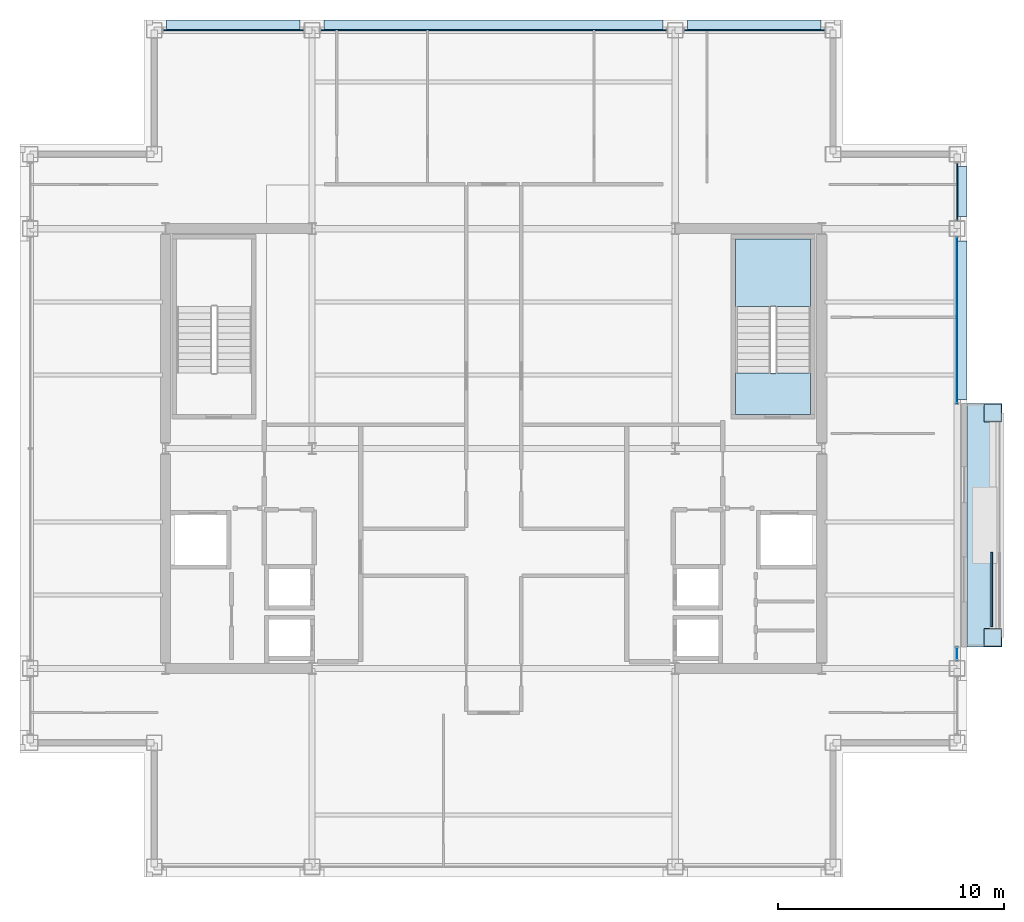
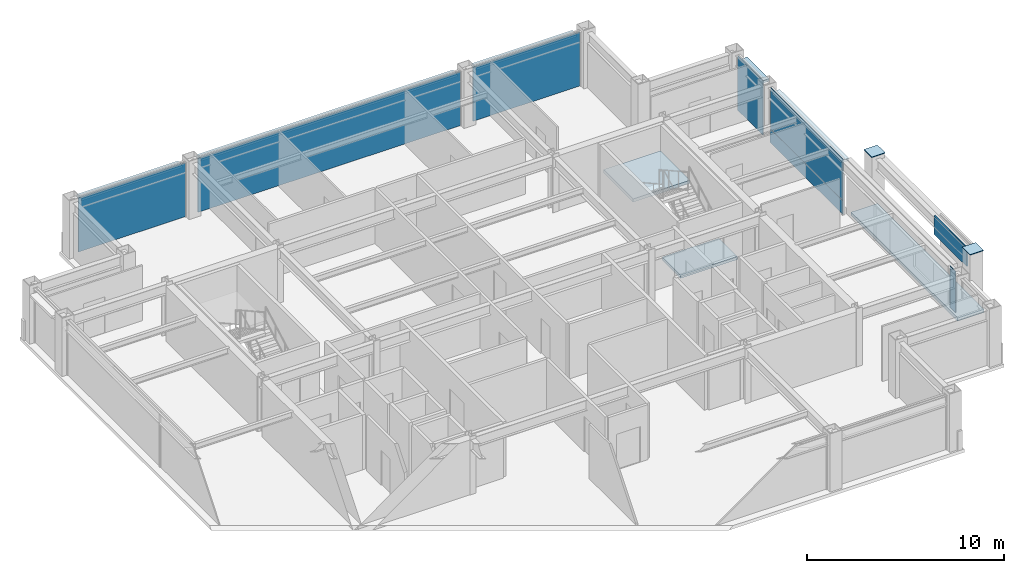
# One storey, part 23 of 29: 15 plates, 3 slabs, 7 elements without a shape of their own.
"""IFC4 building model written with IfcOpenShell, lengths in metres."""

from ifc_helpers import new_model, si_unit, direction, frame, origin, origin_2d, place, context, subcontext, project, spatial, polyline, rectangle, outline, extrude, material, layer, layer_set, type_object, element, aggregate, save


model = new_model("IFC4")

# Units and contexts
model_context = context("Model", 3, precision=1e-05, world=origin(), true_north=direction((0.0, 1.0)))
body_context = subcontext(model_context, "Body", "Model", "MODEL_VIEW")
ifc_project = project(units=[si_unit("LENGTHUNIT", "METRE"), si_unit("AREAUNIT", "SQUARE_METRE"), si_unit("VOLUMEUNIT", "CUBIC_METRE"), si_unit("PLANEANGLEUNIT", "RADIAN"), si_unit("MASSUNIT", "GRAM", prefix="KILO")], contexts=[model_context])

# Site, building, storey
site_placement = place(None, origin())
site = spatial("IfcSite", under=ifc_project, at=site_placement, CompositionType="ELEMENT")
building_placement = place(site_placement, origin())
building = spatial("IfcBuilding", under=site, at=building_placement, Name="Brelmoor Portico Tower", CompositionType="ELEMENT")
storey_placement = place(building_placement, frame((0.0, 0.0, 201.89990234375)))
storey = spatial("IfcBuildingStorey", under=building, at=storey_placement, Name="L53", CompositionType="ELEMENT", Elevation=201.89990234375)

# Plates
ifc_material_1 = material(Name="Steel Q355B", Category="steel")
ifc_layer_1 = layer(ifc_material_1, 0.044921875)
ifc_layer_set_1 = layer_set([ifc_layer_1], Name="Steel Q355B")
plate_type_1 = type_object("IfcPlateType", Name="PT-CAP-650", PredefinedType="SHEET", material=ifc_layer_set_1)
for number, where, z_axis, x_axis, name in (
    (1, (22.1298828125, -8.3798828125, 3.60009765625), (0.0, 0.0, 1.0), (0.0, 1.0, 0.0), "L53 Proud Picture-Frame Pier PFJ-E1 Welded Head Cap Plate"),
    (2, (22.1298828125, 1.580078125, 3.60009765625), (0.0, 0.0, 1.0), (0.0, 1.0, 0.0), "L53 Proud Picture-Frame Pier PFJ-E2 Welded Head Cap Plate"),
):
    element("IfcPlate", number, at=place(storey_placement, frame(where, z_axis=z_axis, x_axis=x_axis)), inside=storey, type_object=plate_type_1, Name=name, PredefinedType="SHEET", context=body_context, shape_type="SweptSolid", body=[
        extrude(rectangle(XDim=0.7900390625, YDim=0.7900390625, at=origin_2d()), origin(), (0.0, 0.0, 1.0), 0.0400390625),
    ])

# Curtain wall, plate
ifc_material_2 = material(Name="Anodised Aluminium Alloy 6063-T6", Category="aluminium")
ifc_layer_2 = layer(ifc_material_2, 0.179931640625)
ifc_layer_set_2 = layer_set([ifc_layer_2], Name="Anodised Aluminium Alloy 6063-T6")
curtain_wall_type_1 = type_object("IfcCurtainWallType", Name="CW-TOWER-Z3", PredefinedType="NOTDEFINED", material=ifc_layer_set_2)
curtain_wall_1_placement = place(storey_placement, origin())
curtain_wall_1 = element("IfcCurtainWall", 3, at=curtain_wall_1_placement, inside=storey, type_object=curtain_wall_type_1, Name="L53 Curtain Wall CW-L53-4L-2", PredefinedType="NOTDEFINED")
ifc_material_3 = material(Name="Double-Silver Low-E Insulated Glazing", Category="glass")
ifc_layer_3 = layer(ifc_material_3, 0.035888671875)
ifc_layer_set_3 = layer_set([ifc_layer_3], Name="Double-Silver Low-E Insulated Glazing")
plate_type_2 = type_object("IfcPlateType", Name="PT-CW-GLASS", PredefinedType="CURTAIN_PANEL", material=ifc_layer_set_3)
plate_1_placement = place(storey_placement, frame((20.550048828125, -9.094970703125, 0.85009765625), z_axis=(0.0, 0.0, 1.0), x_axis=(0.0, 1.0, 0.0)))
plate_1 = element("IfcPlate", 4, at=plate_1_placement, type_object=plate_type_2, Name="CW-L53-4L-2 Vision Glass Panel 00", PredefinedType="CURTAIN_PANEL", context=body_context, shape_type="SweptSolid", body=[
    extrude(rectangle(XDim=0.56005859375, YDim=0.035888671875, at=origin_2d()), origin(), (0.0, 0.0, 1.0), 2.550048828125),
])
aggregate(curtain_wall_1, [plate_1])

curtain_wall_2_placement = place(storey_placement, origin())
curtain_wall_2 = element("IfcCurtainWall", 5, at=curtain_wall_2_placement, inside=storey, type_object=curtain_wall_type_1, Name="L53 Curtain Wall CW-L53-4R-1", PredefinedType="NOTDEFINED")
plate_2_placement = place(storey_placement, frame((20.550048828125, 5.695068359375, 0.85009765625), z_axis=(0.0, 0.0, 1.0), x_axis=(0.0, 1.0, 0.0)))
plate_2 = element("IfcPlate", 6, at=plate_2_placement, type_object=plate_type_2, Name="CW-L53-4R-1 Vision Glass Panel 00", PredefinedType="CURTAIN_PANEL", context=body_context, shape_type="SweptSolid", body=[
    extrude(rectangle(XDim=7.360107421875, YDim=0.035888671875, at=origin_2d()), origin(), (0.0, 0.0, 1.0), 2.550048828125),
])

ifc_layer_4 = layer(ifc_material_2, 0.179931640625)
ifc_layer_set_4 = layer_set([ifc_layer_4], Name="Anodised Aluminium Alloy 6063-T6")
curtain_wall_type_2 = type_object("IfcCurtainWallType", Name="CW-TOWER-Z3-XB", PredefinedType="NOTDEFINED", material=ifc_layer_set_4)
curtain_wall_3_placement = place(storey_placement, origin())
curtain_wall_3 = element("IfcCurtainWall", 7, at=curtain_wall_3_placement, inside=storey, type_object=curtain_wall_type_2, Name="L53 Curtain Wall CW-L53-02-1", PredefinedType="NOTDEFINED")
ifc_material_4 = material(Name="Pale Champagne Anodised Aluminium Panel", Category="aluminium")
ifc_layer_5 = layer(ifc_material_4, 0.050048828125)
ifc_layer_set_5 = layer_set([ifc_layer_5], Name="Pale Champagne Anodised Aluminium Panel")
plate_type_3 = type_object("IfcPlateType", Name="PT-CW-SPANDREL", PredefinedType="SHEET", material=ifc_layer_set_5)
plate_3_placement = place(storey_placement, frame((-11.550048828125, 18.550048828125, 0.0), z_axis=(0.0, 0.0, 1.0), x_axis=(1.0, 0.0, 0.0)))
plate_3 = element("IfcPlate", 8, at=plate_3_placement, type_object=plate_type_3, Name="CW-L53-02-1 Spandrel Panel 00", PredefinedType="SHEET", context=body_context, shape_type="SweptSolid", body=[
    extrude(rectangle(XDim=6.25, YDim=0.050048828125, at=origin_2d()), origin(), (0.0, 0.0, 1.0), 3.33740234375),
])
aggregate(curtain_wall_3, [plate_3])

curtain_wall_4_placement = place(storey_placement, origin())
curtain_wall_4 = element("IfcCurtainWall", 9, at=curtain_wall_4_placement, inside=storey, type_object=curtain_wall_type_2, Name="L53 Curtain Wall CW-L53-02-2", PredefinedType="NOTDEFINED")
plate_4_placement = place(storey_placement, frame((0.0, 18.550048828125, 0.0), z_axis=(0.0, 0.0, 1.0), x_axis=(1.0, 0.0, 0.0)))
plate_4 = element("IfcPlate", 10, at=plate_4_placement, type_object=plate_type_3, Name="CW-L53-02-2 Spandrel Panel 00", PredefinedType="SHEET", context=body_context, shape_type="SweptSolid", body=[
    extrude(rectangle(XDim=15.35009765625, YDim=0.050048828125, at=origin_2d()), origin(), (0.0, 0.0, 1.0), 3.33740234375),
])
aggregate(curtain_wall_4, [plate_4])

curtain_wall_5_placement = place(storey_placement, origin())
curtain_wall_5 = element("IfcCurtainWall", 11, at=curtain_wall_5_placement, inside=storey, type_object=curtain_wall_type_2, Name="L53 Curtain Wall CW-L53-02-3", PredefinedType="NOTDEFINED")
plate_5_placement = place(storey_placement, frame((11.550048828125, 18.550048828125, 0.0), z_axis=(0.0, 0.0, 1.0), x_axis=(1.0, 0.0, 0.0)))
plate_5 = element("IfcPlate", 12, at=plate_5_placement, type_object=plate_type_3, Name="CW-L53-02-3 Spandrel Panel 00", PredefinedType="SHEET", context=body_context, shape_type="SweptSolid", body=[
    extrude(rectangle(XDim=6.25, YDim=0.050048828125, at=origin_2d()), origin(), (0.0, 0.0, 1.0), 3.33740234375),
])
aggregate(curtain_wall_5, [plate_5])

# Plate
plate_6_placement = place(storey_placement, frame((20.550048828125, 5.695068359375, 0.0), z_axis=(0.0, 0.0, 1.0), x_axis=(0.0, 1.0, 0.0)))
plate_6 = element("IfcPlate", 13, at=plate_6_placement, type_object=plate_type_3, Name="CW-L53-4R-1 Spandrel Panel 00", PredefinedType="SHEET", context=body_context, shape_type="SweptSolid", body=[
    extrude(rectangle(XDim=7.360107421875, YDim=0.050048828125, at=origin_2d()), origin(), (0.0, 0.0, 1.0), 0.85009765625),
])

aggregate(curtain_wall_2, [plate_6, plate_2])

# Curtain wall, plate
curtain_wall_6_placement = place(storey_placement, origin())
curtain_wall_6 = element("IfcCurtainWall", 14, at=curtain_wall_6_placement, inside=storey, type_object=curtain_wall_type_2, Name="L53 Curtain Wall CW-L53-4R-2", PredefinedType="NOTDEFINED")
plate_7_placement = place(storey_placement, frame((20.550048828125, 11.39990234375, 0.0), z_axis=(0.0, 0.0, 1.0), x_axis=(0.0, 1.0, 0.0)))
plate_7 = element("IfcPlate", 15, at=plate_7_placement, type_object=plate_type_3, Name="CW-L53-4R-2 Spandrel Panel 00", PredefinedType="SHEET", context=body_context, shape_type="SweptSolid", body=[
    extrude(rectangle(XDim=2.550048828125, YDim=0.050048828125, at=origin_2d()), origin(), (0.0, 0.0, 1.0), 3.33740234375),
])
aggregate(curtain_wall_6, [plate_7])

# Plates
ifc_material_5 = material(Name="Powder-Coated Aluminium Shuttered Jalousie Louvre", Category="aluminium")
ifc_layer_6 = layer(ifc_material_5, 0.06005859375)
ifc_layer_set_6 = layer_set([ifc_layer_6], Name="Powder-Coated Aluminium Shuttered Jalousie Louvre")
plate_type_4 = type_object("IfcPlateType", Name="PT-JALOUSIE-SHUTTER", PredefinedType="SHEET", material=ifc_layer_set_6)
plate_8_placement = place(storey_placement, frame((22.080078125, -6.25, 2.275146484375), z_axis=(0.0, 0.0, 1.0), x_axis=(0.0, 1.0, 0.0)))
element("IfcPlate", 16, at=plate_8_placement, inside=storey, type_object=plate_type_4, Name="L53 Shuttered Veranda Screen E", PredefinedType="SHEET", context=body_context, shape_type="SweptSolid", body=[
    extrude(rectangle(XDim=3.300048828125, YDim=0.080078125, at=origin_2d()), origin(), (0.0, 0.0, 1.0), 1.14990234375),
])
ifc_material_6 = material(Name="Pale Champagne Perforated Aluminium Solar Screen", Category="aluminium")
ifc_layer_7 = layer(ifc_material_6, 0.054931640625)
ifc_layer_set_7 = layer_set([ifc_layer_7], Name="Pale Champagne Perforated Aluminium Solar Screen")
plate_type_5 = type_object("IfcPlateType", Name="PT-SOLAR-LOUVRE", PredefinedType="SHEET", material=ifc_layer_set_7)
plate_9_placement = place(storey_placement, frame((-11.550048828125, 18.760009765625, 3.09033203125), z_axis=(0.0, 0.0, 1.0), x_axis=(1.0, 0.0, 0.0)))
element("IfcPlate", 17, at=plate_9_placement, inside=storey, type_object=plate_type_5, Name="CW-L53-02-1 Caribbean Brise-Soleil Solar Screen", PredefinedType="SHEET", context=body_context, shape_type="SweptSolid", body=[
    extrude(rectangle(XDim=5.919921875, YDim=0.4599609375, at=origin_2d()), origin(), (0.0, 0.0, 1.0), 0.139892578125),
])
plate_10_placement = place(storey_placement, frame((0.0, 18.760009765625, 3.09033203125), z_axis=(0.0, 0.0, 1.0), x_axis=(1.0, 0.0, 0.0)))
element("IfcPlate", 18, at=plate_10_placement, inside=storey, type_object=plate_type_5, Name="CW-L53-02-2 Caribbean Brise-Soleil Solar Screen", PredefinedType="SHEET", context=body_context, shape_type="SweptSolid", body=[
    extrude(rectangle(XDim=15.02001953125, YDim=0.4599609375, at=origin_2d()), origin(), (0.0, 0.0, 1.0), 0.139892578125),
])
plate_11_placement = place(storey_placement, frame((11.550048828125, 18.760009765625, 3.09033203125), z_axis=(0.0, 0.0, 1.0), x_axis=(1.0, 0.0, 0.0)))
element("IfcPlate", 19, at=plate_11_placement, inside=storey, type_object=plate_type_5, Name="CW-L53-02-3 Caribbean Brise-Soleil Solar Screen", PredefinedType="SHEET", context=body_context, shape_type="SweptSolid", body=[
    extrude(rectangle(XDim=5.919921875, YDim=0.4599609375, at=origin_2d()), origin(), (0.0, 0.0, 1.0), 0.139892578125),
])
plate_12_placement = place(storey_placement, frame((20.760009765625, 5.695068359375, 3.09033203125), z_axis=(0.0, 0.0, 1.0), x_axis=(0.0, 1.0, 0.0)))
element("IfcPlate", 20, at=plate_12_placement, inside=storey, type_object=plate_type_5, Name="CW-L53-4R-1 Caribbean Brise-Soleil Solar Screen", PredefinedType="SHEET", context=body_context, shape_type="SweptSolid", body=[
    extrude(rectangle(XDim=7.030029296875, YDim=0.4599609375, at=origin_2d()), origin(), (0.0, 0.0, 1.0), 0.139892578125),
])
plate_13_placement = place(storey_placement, frame((20.760009765625, 11.39990234375, 3.09033203125), z_axis=(0.0, 0.0, 1.0), x_axis=(0.0, 1.0, 0.0)))
element("IfcPlate", 21, at=plate_13_placement, inside=storey, type_object=plate_type_5, Name="CW-L53-4R-2 Caribbean Brise-Soleil Solar Screen", PredefinedType="SHEET", context=body_context, shape_type="SweptSolid", body=[
    extrude(rectangle(XDim=2.219970703125, YDim=0.4599609375, at=origin_2d()), origin(), (0.0, 0.0, 1.0), 0.139892578125),
])

# Slab
ifc_material_7 = material(Name="Concrete C40", Category="concrete")
ifc_layer_8 = layer(ifc_material_7, 0.199951171875)
ifc_layer_set_8 = layer_set([ifc_layer_8], Name="Concrete C40")
slab_type_1 = type_object("IfcSlabType", Name="SL-BALCONY-200", PredefinedType="FLOOR", material=ifc_layer_set_8)
slab_1_placement = place(storey_placement, frame((0.0, 0.0, -0.199951171875)))
element("IfcSlab", 22, at=slab_1_placement, inside=storey, type_object=slab_type_1, Name="L53 Loggia Tree Balcony Slab E", PredefinedType="FLOOR", context=body_context, shape_type="SweptSolid", body=[
    extrude(outline(polyline([(21.0, -8.800048828125), (22.550048828125, -8.800048828125), (22.550048828125, 2.0), (21.0, 2.0), (21.0, -8.800048828125)])), origin(), (0.0, 0.0, 1.0), 0.199951171875),
])

# Stair, slab
stair_type = type_object("IfcStairType", Name="ST-CORE-E", PredefinedType="HALF_TURN_STAIR", material=ifc_material_7)
stair_placement = place(storey_placement, origin())
stair = element("IfcStair", 23, at=stair_placement, inside=storey, type_object=stair_type, Name="L53 Protected Core Exit Stair ST-E", PredefinedType="HALF_TURN_STAIR")
ifc_layer_9 = layer(ifc_material_7, 0.179931640625)
ifc_layer_set_9 = layer_set([ifc_layer_9], Name="Concrete C40")
slab_type_2 = type_object("IfcSlabType", Name="SL-LANDING-180", PredefinedType="LANDING", material=ifc_layer_set_9)
slab_2_placement = place(storey_placement, frame((0.0, 0.0, 1.60009765625)))
slab_2 = element("IfcSlab", 24, at=slab_2_placement, type_object=slab_type_2, Name="ST-E landing 1", PredefinedType="LANDING", context=body_context, shape_type="SweptSolid", body=[
    extrude(outline(polyline([(14.050048828125, 6.300048828125), (14.050048828125, 9.300048828125), (10.72998046875, 9.300048828125), (10.72998046875, 6.300048828125), (14.050048828125, 6.300048828125)])), origin(), (0.0, 0.0, 1.0), 0.199951171875),
])
aggregate(stair, [slab_2])

# Slab
ifc_layer_10 = layer(ifc_material_7, 0.199951171875)
ifc_layer_set_10 = layer_set([ifc_layer_10], Name="Concrete C40")
slab_type_3 = type_object("IfcSlabType", Name="SL-STAIR-FL200", PredefinedType="LANDING", material=ifc_layer_set_10)
slab_3_placement = place(storey_placement, frame((0.0, 0.0, -0.199951171875)))
element("IfcSlab", 25, at=slab_3_placement, inside=storey, type_object=slab_type_3, Name="L53 ST-E Structural Floor Landing Slab", PredefinedType="LANDING", context=body_context, shape_type="SweptSolid", body=[
    extrude(outline(polyline([(14.050048828125, 1.5), (14.050048828125, 3.35009765625), (10.72998046875, 3.35009765625), (10.72998046875, 1.5), (14.050048828125, 1.5)])), origin(), (0.0, 0.0, 1.0), 0.199951171875),
])

save(model, "model.ifc")
